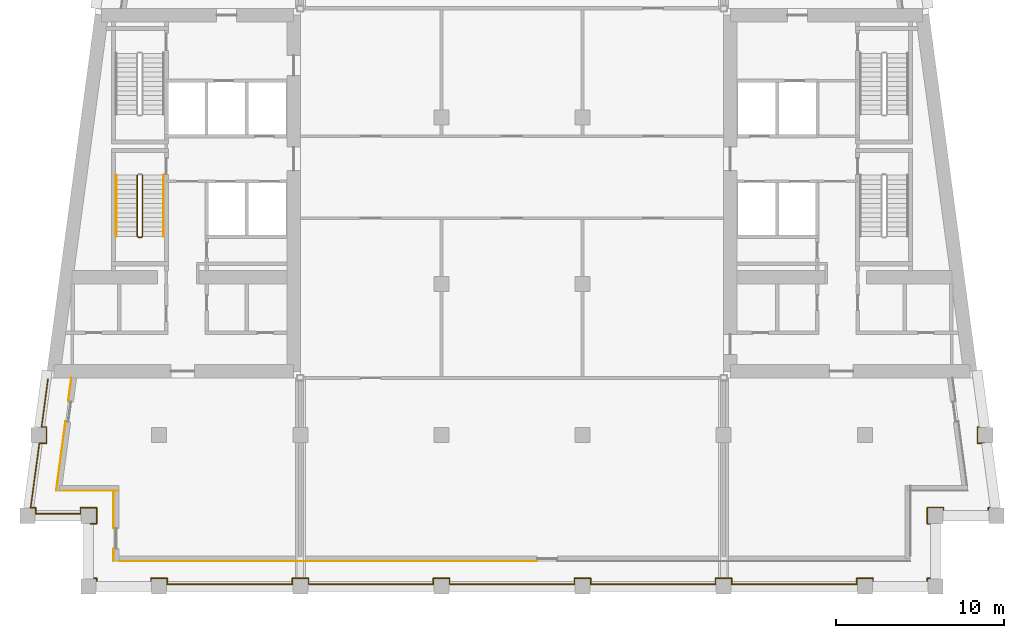
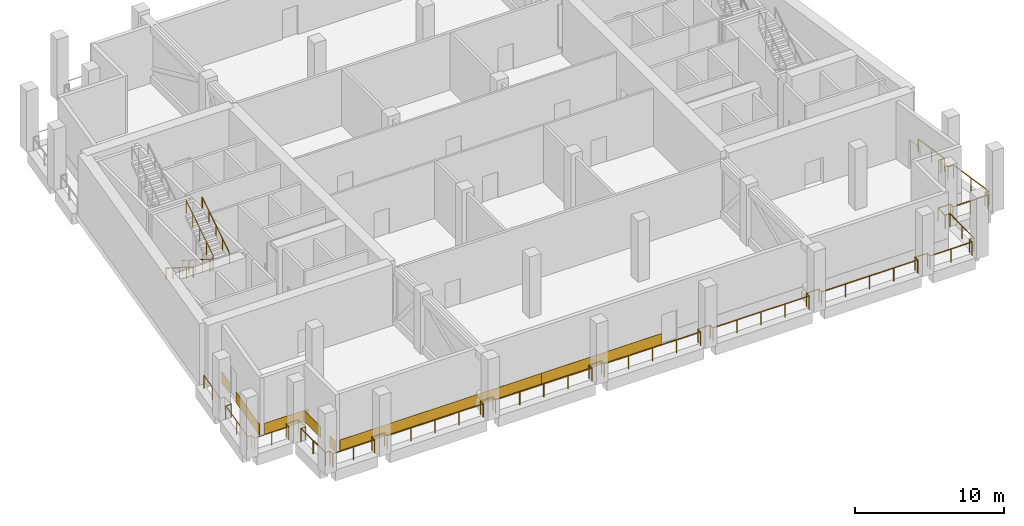
# One storey, part 8 of 11: 7 coverings, 5 railings.
"""IFC4 building model written with IfcOpenShell, lengths in metres."""

from ifc_helpers import new_model, si_unit, direction, frame, origin, origin_2d, place, context, subcontext, project, spatial, rectangle, circle, extrude, material, layer, layer_set, type_object, element, save


model = new_model("IFC4")

# Units and contexts
model_context = context("Model", 3, precision=1e-05, world=origin(), true_north=direction((0.0, 1.0)))
body_context = subcontext(model_context, "Body", "Model", "MODEL_VIEW")
ifc_project = project(units=[si_unit("LENGTHUNIT", "METRE"), si_unit("AREAUNIT", "SQUARE_METRE"), si_unit("VOLUMEUNIT", "CUBIC_METRE"), si_unit("PLANEANGLEUNIT", "RADIAN"), si_unit("MASSUNIT", "GRAM", prefix="KILO")], contexts=[model_context])

# Site, building, storey
site_placement = place(None, origin())
site = spatial("IfcSite", under=ifc_project, at=site_placement, CompositionType="ELEMENT")
building_placement = place(site_placement, origin())
building = spatial("IfcBuilding", under=site, at=building_placement, Name="Candeia Pilgrim Tower and Theatre", CompositionType="ELEMENT")
storey_placement = place(building_placement, frame((0.0, 0.0, 254.0)))
storey = spatial("IfcBuildingStorey", under=building, at=storey_placement, Name="L61", CompositionType="ELEMENT", Elevation=254.0)

# Railings
ifc_material_1 = material(Name="Stainless steel balustrade", Category="steel")
railing_type_1 = type_object("IfcRailingType", Name="G1 loggia guard 1100", PredefinedType="GUARDRAIL", material=ifc_material_1)
railing_1_placement = place(storey_placement, frame((88.320068359375, 101.719970703125, 0.0)))
element("IfcRailing", 1, at=railing_1_placement, inside=storey, type_object=railing_type_1, Name="Guard L61.1", PredefinedType="GUARDRAIL", context=body_context, shape_type="SweptSolid", body=[
    extrude(circle(Radius=0.02392578125, at=origin_2d()), frame((0.0, 0.0, 1.076171875), z_axis=(1.0, 0.0, 0.0), x_axis=(0.0, 1.0, 0.0)), (0.0, 0.0, 1.0), 0.35986328125),
    extrude(circle(Radius=0.02392578125, at=origin_2d()), frame((0.35986328125, 0.0, 1.076171875), z_axis=(0.0, 1.0, 0.0), x_axis=(-1.0, 0.0, 0.0)), (0.0, 0.0, 1.0), 0.9599609375),
    extrude(circle(Radius=0.02392578125, at=origin_2d()), frame((0.35986328125, 0.9599609375, 1.076171875), z_axis=(-1.0, 0.0, 0.0), x_axis=(0.0, -1.0, 0.0)), (0.0, 0.0, 1.0), 0.9599609375),
    extrude(circle(Radius=0.02392578125, at=origin_2d()), frame((-0.60009765625, 0.9599609375, 1.076171875), z_axis=(0.0, -1.0, 0.0), x_axis=(1.0, 0.0, 0.0)), (0.0, 0.0, 1.0), 0.35986328125),
    extrude(circle(Radius=0.02392578125, at=origin_2d()), frame((-0.60009765625, 0.60009765625, 1.076171875), z_axis=(-1.0, 0.0, 0.0), x_axis=(0.0, -1.0, 0.0)), (0.0, 0.0, 1.0), 2.674560546875),
    extrude(circle(Radius=0.02392578125, at=origin_2d()), frame((-3.274658203125, 0.60009765625, 1.076171875), z_axis=(0.0, 1.0, 0.0), x_axis=(-1.0, 0.0, 0.0)), (0.0, 0.0, 1.0), 0.35986328125),
    extrude(circle(Radius=0.02392578125, at=origin_2d()), frame((-3.274658203125, 0.9599609375, 1.076171875), z_axis=(-1.0, 0.0, 0.0), x_axis=(0.0, -1.0, 0.0)), (0.0, 0.0, 1.0), 0.29443359375),
    extrude(circle(Radius=0.02392578125, at=origin_2d()), frame((-3.569091796875, 0.9599609375, 1.076171875), z_axis=(0.133451286285, 0.991055373927, 0.0), x_axis=(-0.991055373927, 0.133451286285, 0.0)), (0.0, 0.0, 1.0), 3.874755859375),
    extrude(circle(Radius=0.02392578125, at=origin_2d()), frame((-3.052001953125, 4.800048828125, 1.076171875), z_axis=(1.0, 0.0, 0.0), x_axis=(0.0, 1.0, 0.0)), (0.0, 0.0, 1.0), 0.423583984375),
    extrude(circle(Radius=0.02392578125, at=origin_2d()), frame((-2.62841796875, 4.800048828125, 1.076171875), z_axis=(0.0, 1.0, 0.0), x_axis=(-1.0, 0.0, 0.0)), (0.0, 0.0, 1.0), 0.9599609375),
    extrude(circle(Radius=0.02392578125, at=origin_2d()), frame((-2.62841796875, 5.760009765625, 1.076171875), z_axis=(-1.0, 0.0, 0.0), x_axis=(0.0, -1.0, 0.0)), (0.0, 0.0, 1.0), 0.29443359375),
    extrude(circle(Radius=0.02392578125, at=origin_2d()), frame((-2.9228515625, 5.760009765625, 1.076171875), z_axis=(0.133450228179, 0.991055516406, 0.0), x_axis=(-0.991055516406, 0.133450228179, 0.0)), (0.0, 0.0, 1.0), 2.89599609375),
    extrude(circle(Radius=0.02099609375, at=origin_2d()), origin(), (0.0, 0.0, 1.0), 1.052001953125),
    extrude(circle(Radius=0.02099609375, at=origin_2d()), frame((0.35986328125, 0.0, 0.0)), (0.0, 0.0, 1.0), 1.052001953125),
    extrude(circle(Radius=0.02099609375, at=origin_2d()), frame((0.35986328125, 0.9599609375, 0.0)), (0.0, 0.0, 1.0), 1.052001953125),
    extrude(circle(Radius=0.02099609375, at=origin_2d()), frame((-0.60009765625, 0.9599609375, 0.0)), (0.0, 0.0, 1.0), 1.052001953125),
    extrude(circle(Radius=0.02099609375, at=origin_2d()), frame((-0.60009765625, 0.60009765625, 0.0)), (0.0, 0.0, 1.0), 1.052001953125),
    extrude(circle(Radius=0.02099609375, at=origin_2d()), frame((-1.9375, 0.60009765625, 0.0)), (0.0, 0.0, 1.0), 1.052001953125),
    extrude(circle(Radius=0.02099609375, at=origin_2d()), frame((-3.274658203125, 0.60009765625, 0.0)), (0.0, 0.0, 1.0), 1.052001953125),
    extrude(circle(Radius=0.02099609375, at=origin_2d()), frame((-3.274658203125, 0.9599609375, 0.0)), (0.0, 0.0, 1.0), 1.052001953125),
    extrude(circle(Radius=0.02099609375, at=origin_2d()), frame((-3.569091796875, 0.9599609375, 0.0)), (0.0, 0.0, 1.0), 1.052001953125),
    extrude(circle(Radius=0.02099609375, at=origin_2d()), frame((-3.310546875, 2.8798828125, 0.0)), (0.0, 0.0, 1.0), 1.052001953125),
    extrude(circle(Radius=0.02099609375, at=origin_2d()), frame((-3.052001953125, 4.800048828125, 0.0)), (0.0, 0.0, 1.0), 1.052001953125),
    extrude(circle(Radius=0.02099609375, at=origin_2d()), frame((-2.62841796875, 4.800048828125, 0.0)), (0.0, 0.0, 1.0), 1.052001953125),
    extrude(circle(Radius=0.02099609375, at=origin_2d()), frame((-2.62841796875, 5.760009765625, 0.0)), (0.0, 0.0, 1.0), 1.052001953125),
    extrude(circle(Radius=0.02099609375, at=origin_2d()), frame((-2.9228515625, 5.760009765625, 0.0)), (0.0, 0.0, 1.0), 1.052001953125),
    extrude(circle(Radius=0.02099609375, at=origin_2d()), frame((-2.7294921875, 7.195068359375, 0.0)), (0.0, 0.0, 1.0), 1.052001953125),
    extrude(circle(Radius=0.02099609375, at=origin_2d()), frame((-2.536376953125, 8.630126953125, 0.0)), (0.0, 0.0, 1.0), 1.052001953125),
])
railing_2_placement = place(storey_placement, frame((141.016357421875, 110.35009765625, 0.0)))
element("IfcRailing", 2, at=railing_2_placement, inside=storey, type_object=railing_type_1, Name="Guard L61.3", PredefinedType="GUARDRAIL", context=body_context, shape_type="SweptSolid", body=[
    extrude(circle(Radius=0.02392578125, at=origin_2d()), frame((0.0, 0.0, 1.076171875), z_axis=(0.133450228179, -0.991055516406, 0.0), x_axis=(0.991055516406, 0.133450228179, 0.0)), (0.0, 0.0, 1.0), 2.89599609375),
    extrude(circle(Radius=0.02392578125, at=origin_2d()), frame((0.386474609375, -2.8701171875, 1.076171875), z_axis=(-1.0, 0.0, 0.0), x_axis=(0.0, -1.0, 0.0)), (0.0, 0.0, 1.0), 0.29443359375),
    extrude(circle(Radius=0.02392578125, at=origin_2d()), frame((0.092041015625, -2.8701171875, 1.076171875), z_axis=(0.0, -1.0, 0.0), x_axis=(1.0, 0.0, 0.0)), (0.0, 0.0, 1.0), 0.9599609375),
    extrude(circle(Radius=0.02392578125, at=origin_2d()), frame((0.092041015625, -3.830078125, 1.076171875), z_axis=(1.0, 0.0, 0.0), x_axis=(0.0, 1.0, 0.0)), (0.0, 0.0, 1.0), 0.423583984375),
    extrude(circle(Radius=0.02392578125, at=origin_2d()), frame((0.515625, -3.830078125, 1.076171875), z_axis=(0.133389399471, -0.991063705374, 0.0), x_axis=(0.991063705374, 0.133389399471, 0.0)), (0.0, 0.0, 1.0), 3.874755859375),
    extrude(circle(Radius=0.02392578125, at=origin_2d()), frame((1.032470703125, -7.670166015625, 1.076171875), z_axis=(-1.0, 0.0, 0.0), x_axis=(0.0, -1.0, 0.0)), (0.0, 0.0, 1.0), 0.294189453125),
    extrude(circle(Radius=0.02392578125, at=origin_2d()), frame((0.73828125, -7.670166015625, 1.076171875), z_axis=(0.0, -1.0, 0.0), x_axis=(1.0, 0.0, 0.0)), (0.0, 0.0, 1.0), 0.35986328125),
    extrude(circle(Radius=0.02392578125, at=origin_2d()), frame((0.73828125, -8.030029296875, 1.076171875), z_axis=(-1.0, 0.0, 0.0), x_axis=(0.0, -1.0, 0.0)), (0.0, 0.0, 1.0), 2.674560546875),
    extrude(circle(Radius=0.02392578125, at=origin_2d()), frame((-1.936279296875, -8.030029296875, 1.076171875), z_axis=(0.0, 1.0, 0.0), x_axis=(-1.0, 0.0, 0.0)), (0.0, 0.0, 1.0), 0.35986328125),
    extrude(circle(Radius=0.02392578125, at=origin_2d()), frame((-1.936279296875, -7.670166015625, 1.076171875), z_axis=(-1.0, 0.0, 0.0), x_axis=(0.0, -1.0, 0.0)), (0.0, 0.0, 1.0), 0.9599609375),
    extrude(circle(Radius=0.02392578125, at=origin_2d()), frame((-2.896240234375, -7.670166015625, 1.076171875), z_axis=(0.0, -1.0, 0.0), x_axis=(1.0, 0.0, 0.0)), (0.0, 0.0, 1.0), 0.9599609375),
    extrude(circle(Radius=0.02392578125, at=origin_2d()), frame((-2.896240234375, -8.630126953125, 1.076171875), z_axis=(1.0, 0.0, 0.0), x_axis=(0.0, 1.0, 0.0)), (0.0, 0.0, 1.0), 0.35986328125),
    extrude(circle(Radius=0.02392578125, at=origin_2d()), frame((-2.536376953125, -8.630126953125, 1.076171875), z_axis=(0.0, -1.0, 0.0), x_axis=(1.0, 0.0, 0.0)), (0.0, 0.0, 1.0), 3.239990234375),
    extrude(circle(Radius=0.02392578125, at=origin_2d()), frame((-2.536376953125, -11.8701171875, 1.076171875), z_axis=(-1.0, 0.0, 0.0), x_axis=(0.0, -1.0, 0.0)), (0.0, 0.0, 1.0), 0.35986328125),
    extrude(circle(Radius=0.02392578125, at=origin_2d()), frame((-2.896240234375, -11.8701171875, 1.076171875), z_axis=(0.0, -1.0, 0.0), x_axis=(1.0, 0.0, 0.0)), (0.0, 0.0, 1.0), 0.35986328125),
    extrude(circle(Radius=0.02392578125, at=origin_2d()), frame((-2.896240234375, -12.22998046875, 1.076171875), z_axis=(-1.0, 0.0, 0.0), x_axis=(0.0, -1.0, 0.0)), (0.0, 0.0, 1.0), 3.240234375),
    extrude(circle(Radius=0.02392578125, at=origin_2d()), frame((-6.136474609375, -12.22998046875, 1.076171875), z_axis=(0.0, 1.0, 0.0), x_axis=(-1.0, 0.0, 0.0)), (0.0, 0.0, 1.0), 0.35986328125),
    extrude(circle(Radius=0.02392578125, at=origin_2d()), frame((-6.136474609375, -11.8701171875, 1.076171875), z_axis=(-1.0, 0.0, 0.0), x_axis=(0.0, -1.0, 0.0)), (0.0, 0.0, 1.0), 0.9599609375),
    extrude(circle(Radius=0.02392578125, at=origin_2d()), frame((-7.096435546875, -11.8701171875, 1.076171875), z_axis=(0.0, -1.0, 0.0), x_axis=(1.0, 0.0, 0.0)), (0.0, 0.0, 1.0), 0.35986328125),
    extrude(circle(Radius=0.02392578125, at=origin_2d()), frame((-7.096435546875, -12.22998046875, 1.076171875), z_axis=(-1.0, 0.0, 0.0), x_axis=(0.0, -1.0, 0.0)), (0.0, 0.0, 1.0), 7.43994140625),
    extrude(circle(Radius=0.02392578125, at=origin_2d()), frame((-14.536376953125, -12.22998046875, 1.076171875), z_axis=(0.0, 1.0, 0.0), x_axis=(-1.0, 0.0, 0.0)), (0.0, 0.0, 1.0), 0.35986328125),
    extrude(circle(Radius=0.02392578125, at=origin_2d()), frame((-14.536376953125, -11.8701171875, 1.076171875), z_axis=(-1.0, 0.0, 0.0), x_axis=(0.0, -1.0, 0.0)), (0.0, 0.0, 1.0), 0.9599609375),
    extrude(circle(Radius=0.02392578125, at=origin_2d()), frame((-15.496337890625, -11.8701171875, 1.076171875), z_axis=(0.0, -1.0, 0.0), x_axis=(1.0, 0.0, 0.0)), (0.0, 0.0, 1.0), 0.35986328125),
    extrude(circle(Radius=0.02392578125, at=origin_2d()), frame((-15.496337890625, -12.22998046875, 1.076171875), z_axis=(-1.0, 0.0, 0.0), x_axis=(0.0, -1.0, 0.0)), (0.0, 0.0, 1.0), 7.43994140625),
    extrude(circle(Radius=0.02392578125, at=origin_2d()), frame((-22.936279296875, -12.22998046875, 1.076171875), z_axis=(0.0, 1.0, 0.0), x_axis=(-1.0, 0.0, 0.0)), (0.0, 0.0, 1.0), 0.35986328125),
    extrude(circle(Radius=0.02392578125, at=origin_2d()), frame((-22.936279296875, -11.8701171875, 1.076171875), z_axis=(-1.0, 0.0, 0.0), x_axis=(0.0, -1.0, 0.0)), (0.0, 0.0, 1.0), 0.9599609375),
    extrude(circle(Radius=0.02392578125, at=origin_2d()), frame((-23.896240234375, -11.8701171875, 1.076171875), z_axis=(0.0, -1.0, 0.0), x_axis=(1.0, 0.0, 0.0)), (0.0, 0.0, 1.0), 0.35986328125),
    extrude(circle(Radius=0.02392578125, at=origin_2d()), frame((-23.896240234375, -12.22998046875, 1.076171875), z_axis=(-1.0, 0.0, 0.0), x_axis=(0.0, -1.0, 0.0)), (0.0, 0.0, 1.0), 7.440185546875),
    extrude(circle(Radius=0.02392578125, at=origin_2d()), frame((-31.33642578125, -12.22998046875, 1.076171875), z_axis=(0.0, 1.0, 0.0), x_axis=(-1.0, 0.0, 0.0)), (0.0, 0.0, 1.0), 0.35986328125),
    extrude(circle(Radius=0.02392578125, at=origin_2d()), frame((-31.33642578125, -11.8701171875, 1.076171875), z_axis=(-1.0, 0.0, 0.0), x_axis=(0.0, -1.0, 0.0)), (0.0, 0.0, 1.0), 0.9599609375),
    extrude(circle(Radius=0.02392578125, at=origin_2d()), frame((-32.29638671875, -11.8701171875, 1.076171875), z_axis=(0.0, -1.0, 0.0), x_axis=(1.0, 0.0, 0.0)), (0.0, 0.0, 1.0), 0.35986328125),
    extrude(circle(Radius=0.02392578125, at=origin_2d()), frame((-32.29638671875, -12.22998046875, 1.076171875), z_axis=(-1.0, 0.0, 0.0), x_axis=(0.0, -1.0, 0.0)), (0.0, 0.0, 1.0), 7.43994140625),
    extrude(circle(Radius=0.02392578125, at=origin_2d()), frame((-39.736328125, -12.22998046875, 1.076171875), z_axis=(0.0, 1.0, 0.0), x_axis=(-1.0, 0.0, 0.0)), (0.0, 0.0, 1.0), 0.35986328125),
    extrude(circle(Radius=0.02392578125, at=origin_2d()), frame((-39.736328125, -11.8701171875, 1.076171875), z_axis=(-1.0, 0.0, 0.0), x_axis=(0.0, -1.0, 0.0)), (0.0, 0.0, 1.0), 0.9599609375),
    extrude(circle(Radius=0.02392578125, at=origin_2d()), frame((-40.6962890625, -11.8701171875, 1.076171875), z_axis=(0.0, -1.0, 0.0), x_axis=(1.0, 0.0, 0.0)), (0.0, 0.0, 1.0), 0.35986328125),
    extrude(circle(Radius=0.02392578125, at=origin_2d()), frame((-40.6962890625, -12.22998046875, 1.076171875), z_axis=(-1.0, 0.0, 0.0), x_axis=(0.0, -1.0, 0.0)), (0.0, 0.0, 1.0), 7.440185546875),
    extrude(circle(Radius=0.02392578125, at=origin_2d()), frame((-48.136474609375, -12.22998046875, 1.076171875), z_axis=(0.0, 1.0, 0.0), x_axis=(-1.0, 0.0, 0.0)), (0.0, 0.0, 1.0), 0.35986328125),
    extrude(circle(Radius=0.02392578125, at=origin_2d()), frame((-48.136474609375, -11.8701171875, 1.076171875), z_axis=(-1.0, 0.0, 0.0), x_axis=(0.0, -1.0, 0.0)), (0.0, 0.0, 1.0), 0.9599609375),
    extrude(circle(Radius=0.02392578125, at=origin_2d()), frame((-49.096435546875, -11.8701171875, 1.076171875), z_axis=(0.0, -1.0, 0.0), x_axis=(1.0, 0.0, 0.0)), (0.0, 0.0, 1.0), 0.35986328125),
    extrude(circle(Radius=0.02392578125, at=origin_2d()), frame((-49.096435546875, -12.22998046875, 1.076171875), z_axis=(-1.0, 0.0, 0.0), x_axis=(0.0, -1.0, 0.0)), (0.0, 0.0, 1.0), 3.239990234375),
    extrude(circle(Radius=0.02392578125, at=origin_2d()), frame((-52.33642578125, -12.22998046875, 1.076171875), z_axis=(0.0, 1.0, 0.0), x_axis=(-1.0, 0.0, 0.0)), (0.0, 0.0, 1.0), 0.35986328125),
    extrude(circle(Radius=0.02392578125, at=origin_2d()), frame((-52.33642578125, -11.8701171875, 1.076171875), z_axis=(-1.0, 0.0, 0.0), x_axis=(0.0, -1.0, 0.0)), (0.0, 0.0, 1.0), 0.35986328125),
    extrude(circle(Radius=0.02392578125, at=origin_2d()), frame((-52.6962890625, -11.8701171875, 1.076171875), z_axis=(0.0, 1.0, 0.0), x_axis=(-1.0, 0.0, 0.0)), (0.0, 0.0, 1.0), 3.239990234375),
    extrude(circle(Radius=0.02099609375, at=origin_2d()), origin(), (0.0, 0.0, 1.0), 1.052001953125),
    extrude(circle(Radius=0.02099609375, at=origin_2d()), frame((0.193359375, -1.43505859375, 0.0)), (0.0, 0.0, 1.0), 1.052001953125),
    extrude(circle(Radius=0.02099609375, at=origin_2d()), frame((0.386474609375, -2.8701171875, 0.0)), (0.0, 0.0, 1.0), 1.052001953125),
    extrude(circle(Radius=0.02099609375, at=origin_2d()), frame((0.092041015625, -2.8701171875, 0.0)), (0.0, 0.0, 1.0), 1.052001953125),
    extrude(circle(Radius=0.02099609375, at=origin_2d()), frame((0.092041015625, -3.830078125, 0.0)), (0.0, 0.0, 1.0), 1.052001953125),
    extrude(circle(Radius=0.02099609375, at=origin_2d()), frame((0.515625, -3.830078125, 0.0)), (0.0, 0.0, 1.0), 1.052001953125),
    extrude(circle(Radius=0.02099609375, at=origin_2d()), frame((0.77392578125, -5.75, 0.0)), (0.0, 0.0, 1.0), 1.052001953125),
    extrude(circle(Radius=0.02099609375, at=origin_2d()), frame((1.032470703125, -7.670166015625, 0.0)), (0.0, 0.0, 1.0), 1.052001953125),
    extrude(circle(Radius=0.02099609375, at=origin_2d()), frame((0.73828125, -7.670166015625, 0.0)), (0.0, 0.0, 1.0), 1.052001953125),
    extrude(circle(Radius=0.02099609375, at=origin_2d()), frame((0.73828125, -8.030029296875, 0.0)), (0.0, 0.0, 1.0), 1.052001953125),
    extrude(circle(Radius=0.02099609375, at=origin_2d()), frame((-0.59912109375, -8.030029296875, 0.0)), (0.0, 0.0, 1.0), 1.052001953125),
    extrude(circle(Radius=0.02099609375, at=origin_2d()), frame((-1.936279296875, -8.030029296875, 0.0)), (0.0, 0.0, 1.0), 1.052001953125),
    extrude(circle(Radius=0.02099609375, at=origin_2d()), frame((-1.936279296875, -7.670166015625, 0.0)), (0.0, 0.0, 1.0), 1.052001953125),
    extrude(circle(Radius=0.02099609375, at=origin_2d()), frame((-2.896240234375, -7.670166015625, 0.0)), (0.0, 0.0, 1.0), 1.052001953125),
    extrude(circle(Radius=0.02099609375, at=origin_2d()), frame((-2.896240234375, -8.630126953125, 0.0)), (0.0, 0.0, 1.0), 1.052001953125),
    extrude(circle(Radius=0.02099609375, at=origin_2d()), frame((-2.536376953125, -8.630126953125, 0.0)), (0.0, 0.0, 1.0), 1.052001953125),
    extrude(circle(Radius=0.02099609375, at=origin_2d()), frame((-2.536376953125, -10.25, 0.0)), (0.0, 0.0, 1.0), 1.052001953125),
    extrude(circle(Radius=0.02099609375, at=origin_2d()), frame((-2.536376953125, -11.8701171875, 0.0)), (0.0, 0.0, 1.0), 1.052001953125),
    extrude(circle(Radius=0.02099609375, at=origin_2d()), frame((-2.896240234375, -11.8701171875, 0.0)), (0.0, 0.0, 1.0), 1.052001953125),
    extrude(circle(Radius=0.02099609375, at=origin_2d()), frame((-2.896240234375, -12.22998046875, 0.0)), (0.0, 0.0, 1.0), 1.052001953125),
    extrude(circle(Radius=0.02099609375, at=origin_2d()), frame((-4.516357421875, -12.22998046875, 0.0)), (0.0, 0.0, 1.0), 1.052001953125),
    extrude(circle(Radius=0.02099609375, at=origin_2d()), frame((-6.136474609375, -12.22998046875, 0.0)), (0.0, 0.0, 1.0), 1.052001953125),
    extrude(circle(Radius=0.02099609375, at=origin_2d()), frame((-6.136474609375, -11.8701171875, 0.0)), (0.0, 0.0, 1.0), 1.052001953125),
    extrude(circle(Radius=0.02099609375, at=origin_2d()), frame((-7.096435546875, -11.8701171875, 0.0)), (0.0, 0.0, 1.0), 1.052001953125),
    extrude(circle(Radius=0.02099609375, at=origin_2d()), frame((-7.096435546875, -12.22998046875, 0.0)), (0.0, 0.0, 1.0), 1.052001953125),
    extrude(circle(Radius=0.02099609375, at=origin_2d()), frame((-8.95654296875, -12.22998046875, 0.0)), (0.0, 0.0, 1.0), 1.052001953125),
    extrude(circle(Radius=0.02099609375, at=origin_2d()), frame((-10.81640625, -12.22998046875, 0.0)), (0.0, 0.0, 1.0), 1.052001953125),
    extrude(circle(Radius=0.02099609375, at=origin_2d()), frame((-12.67626953125, -12.22998046875, 0.0)), (0.0, 0.0, 1.0), 1.052001953125),
    extrude(circle(Radius=0.02099609375, at=origin_2d()), frame((-14.536376953125, -12.22998046875, 0.0)), (0.0, 0.0, 1.0), 1.052001953125),
    extrude(circle(Radius=0.02099609375, at=origin_2d()), frame((-14.536376953125, -11.8701171875, 0.0)), (0.0, 0.0, 1.0), 1.052001953125),
    extrude(circle(Radius=0.02099609375, at=origin_2d()), frame((-15.496337890625, -11.8701171875, 0.0)), (0.0, 0.0, 1.0), 1.052001953125),
    extrude(circle(Radius=0.02099609375, at=origin_2d()), frame((-15.496337890625, -12.22998046875, 0.0)), (0.0, 0.0, 1.0), 1.052001953125),
    extrude(circle(Radius=0.02099609375, at=origin_2d()), frame((-17.3564453125, -12.22998046875, 0.0)), (0.0, 0.0, 1.0), 1.052001953125),
    extrude(circle(Radius=0.02099609375, at=origin_2d()), frame((-19.21630859375, -12.22998046875, 0.0)), (0.0, 0.0, 1.0), 1.052001953125),
    extrude(circle(Radius=0.02099609375, at=origin_2d()), frame((-21.076171875, -12.22998046875, 0.0)), (0.0, 0.0, 1.0), 1.052001953125),
    extrude(circle(Radius=0.02099609375, at=origin_2d()), frame((-22.936279296875, -12.22998046875, 0.0)), (0.0, 0.0, 1.0), 1.052001953125),
    extrude(circle(Radius=0.02099609375, at=origin_2d()), frame((-22.936279296875, -11.8701171875, 0.0)), (0.0, 0.0, 1.0), 1.052001953125),
    extrude(circle(Radius=0.02099609375, at=origin_2d()), frame((-23.896240234375, -11.8701171875, 0.0)), (0.0, 0.0, 1.0), 1.052001953125),
    extrude(circle(Radius=0.02099609375, at=origin_2d()), frame((-23.896240234375, -12.22998046875, 0.0)), (0.0, 0.0, 1.0), 1.052001953125),
    extrude(circle(Radius=0.02099609375, at=origin_2d()), frame((-25.75634765625, -12.22998046875, 0.0)), (0.0, 0.0, 1.0), 1.052001953125),
    extrude(circle(Radius=0.02099609375, at=origin_2d()), frame((-27.6162109375, -12.22998046875, 0.0)), (0.0, 0.0, 1.0), 1.052001953125),
    extrude(circle(Radius=0.02099609375, at=origin_2d()), frame((-29.476318359375, -12.22998046875, 0.0)), (0.0, 0.0, 1.0), 1.052001953125),
    extrude(circle(Radius=0.02099609375, at=origin_2d()), frame((-31.33642578125, -12.22998046875, 0.0)), (0.0, 0.0, 1.0), 1.052001953125),
    extrude(circle(Radius=0.02099609375, at=origin_2d()), frame((-31.33642578125, -11.8701171875, 0.0)), (0.0, 0.0, 1.0), 1.052001953125),
    extrude(circle(Radius=0.02099609375, at=origin_2d()), frame((-32.29638671875, -11.8701171875, 0.0)), (0.0, 0.0, 1.0), 1.052001953125),
    extrude(circle(Radius=0.02099609375, at=origin_2d()), frame((-32.29638671875, -12.22998046875, 0.0)), (0.0, 0.0, 1.0), 1.052001953125),
    extrude(circle(Radius=0.02099609375, at=origin_2d()), frame((-34.15625, -12.22998046875, 0.0)), (0.0, 0.0, 1.0), 1.052001953125),
    extrude(circle(Radius=0.02099609375, at=origin_2d()), frame((-36.016357421875, -12.22998046875, 0.0)), (0.0, 0.0, 1.0), 1.052001953125),
    extrude(circle(Radius=0.02099609375, at=origin_2d()), frame((-37.87646484375, -12.22998046875, 0.0)), (0.0, 0.0, 1.0), 1.052001953125),
    extrude(circle(Radius=0.02099609375, at=origin_2d()), frame((-39.736328125, -12.22998046875, 0.0)), (0.0, 0.0, 1.0), 1.052001953125),
    extrude(circle(Radius=0.02099609375, at=origin_2d()), frame((-39.736328125, -11.8701171875, 0.0)), (0.0, 0.0, 1.0), 1.052001953125),
    extrude(circle(Radius=0.02099609375, at=origin_2d()), frame((-40.6962890625, -11.8701171875, 0.0)), (0.0, 0.0, 1.0), 1.052001953125),
    extrude(circle(Radius=0.02099609375, at=origin_2d()), frame((-40.6962890625, -12.22998046875, 0.0)), (0.0, 0.0, 1.0), 1.052001953125),
    extrude(circle(Radius=0.02099609375, at=origin_2d()), frame((-42.556396484375, -12.22998046875, 0.0)), (0.0, 0.0, 1.0), 1.052001953125),
    extrude(circle(Radius=0.02099609375, at=origin_2d()), frame((-44.41650390625, -12.22998046875, 0.0)), (0.0, 0.0, 1.0), 1.052001953125),
    extrude(circle(Radius=0.02099609375, at=origin_2d()), frame((-46.2763671875, -12.22998046875, 0.0)), (0.0, 0.0, 1.0), 1.052001953125),
    extrude(circle(Radius=0.02099609375, at=origin_2d()), frame((-48.136474609375, -12.22998046875, 0.0)), (0.0, 0.0, 1.0), 1.052001953125),
    extrude(circle(Radius=0.02099609375, at=origin_2d()), frame((-48.136474609375, -11.8701171875, 0.0)), (0.0, 0.0, 1.0), 1.052001953125),
    extrude(circle(Radius=0.02099609375, at=origin_2d()), frame((-49.096435546875, -11.8701171875, 0.0)), (0.0, 0.0, 1.0), 1.052001953125),
    extrude(circle(Radius=0.02099609375, at=origin_2d()), frame((-49.096435546875, -12.22998046875, 0.0)), (0.0, 0.0, 1.0), 1.052001953125),
    extrude(circle(Radius=0.02099609375, at=origin_2d()), frame((-50.71630859375, -12.22998046875, 0.0)), (0.0, 0.0, 1.0), 1.052001953125),
    extrude(circle(Radius=0.02099609375, at=origin_2d()), frame((-52.33642578125, -12.22998046875, 0.0)), (0.0, 0.0, 1.0), 1.052001953125),
    extrude(circle(Radius=0.02099609375, at=origin_2d()), frame((-52.33642578125, -11.8701171875, 0.0)), (0.0, 0.0, 1.0), 1.052001953125),
    extrude(circle(Radius=0.02099609375, at=origin_2d()), frame((-52.6962890625, -11.8701171875, 0.0)), (0.0, 0.0, 1.0), 1.052001953125),
    extrude(circle(Radius=0.02099609375, at=origin_2d()), frame((-52.6962890625, -10.25, 0.0)), (0.0, 0.0, 1.0), 1.052001953125),
    extrude(circle(Radius=0.02099609375, at=origin_2d()), frame((-52.6962890625, -8.630126953125, 0.0)), (0.0, 0.0, 1.0), 1.052001953125),
])

# Coverings
ifc_material_2 = material(Name="Glazed ceramic tile bottle green")
ifc_layer_1 = layer(ifc_material_2, 0.02001953125)
ifc_layer_set_1 = layer_set([ifc_layer_1], Name="Glazed ceramic tile bottle green")
covering_type_1 = type_object("IfcCoveringType", Name="Glazed ceramic tile bottle green", PredefinedType="CLADDING", material=ifc_layer_set_1)
covering_1_placement = place(storey_placement, frame((97.81005859375, 99.489990234375, 0.0), z_axis=(0.0, 0.0, 1.0), x_axis=(1.0, 0.0, 0.0)))
element("IfcCovering", 3, at=covering_1_placement, inside=storey, type_object=covering_type_1, Name="Tile cladding bottle green L61", PredefinedType="CLADDING", context=body_context, shape_type="SweptSolid", body=[
    extrude(rectangle(XDim=15.580078125, YDim=0.02001953125, at=origin_2d()), origin(), (0.0, 0.0, 1.0), 0.89990234375),
])
covering_2_placement = place(storey_placement, frame((87.0810546875, 109.71875, 0.0), z_axis=(0.0, 0.0, 1.0), x_axis=(-0.133412012145, -0.991060661622, 0.0)))
element("IfcCovering", 4, at=covering_2_placement, inside=storey, type_object=covering_type_1, Name="Tile cladding bottle green L61", PredefinedType="CLADDING", context=body_context, shape_type="SweptSolid", body=[
    extrude(rectangle(XDim=1.41796875, YDim=0.02001953125, at=origin_2d()), origin(), (0.0, 0.0, 1.0), 0.89990234375),
])
covering_3_placement = place(storey_placement, frame((86.548583984375, 105.763916015625, 0.0), z_axis=(0.0, 0.0, 1.0), x_axis=(-0.133412012145, -0.991060661622, 0.0)))
element("IfcCovering", 5, at=covering_3_placement, inside=storey, type_object=covering_type_1, Name="Tile cladding bottle green L61", PredefinedType="CLADDING", context=body_context, shape_type="SweptSolid", body=[
    extrude(rectangle(XDim=4.16259765625, YDim=0.02001953125, at=origin_2d()), origin(), (0.0, 0.0, 1.0), 0.89990234375),
])
covering_4_placement = place(storey_placement, frame((88.311279296875, 103.68994140625, 0.0), z_axis=(0.0, 0.0, 1.0), x_axis=(1.0, 0.0, 0.0)))
element("IfcCovering", 6, at=covering_4_placement, inside=storey, type_object=covering_type_1, Name="Tile cladding bottle green L61", PredefinedType="CLADDING", context=body_context, shape_type="SweptSolid", body=[
    extrude(rectangle(XDim=3.377685546875, YDim=0.02001953125, at=origin_2d()), origin(), (0.0, 0.0, 1.0), 0.89990234375),
])
covering_5_placement = place(storey_placement, frame((89.68994140625, 102.56494140625, 0.0), z_axis=(0.0, 0.0, 1.0), x_axis=(0.0, -1.0, 0.0)))
element("IfcCovering", 7, at=covering_5_placement, inside=storey, type_object=covering_type_1, Name="Tile cladding bottle green L61", PredefinedType="CLADDING", context=body_context, shape_type="SweptSolid", body=[
    extrude(rectangle(XDim=2.22998046875, YDim=0.02001953125, at=origin_2d()), origin(), (0.0, 0.0, 1.0), 0.89990234375),
])
covering_6_placement = place(storey_placement, frame((89.68994140625, 99.875, 0.0), z_axis=(0.0, 0.0, 1.0), x_axis=(0.0, -1.0, 0.0)))
element("IfcCovering", 8, at=covering_6_placement, inside=storey, type_object=covering_type_1, Name="Tile cladding bottle green L61", PredefinedType="CLADDING", context=body_context, shape_type="SweptSolid", body=[
    extrude(rectangle(XDim=0.75, YDim=0.02001953125, at=origin_2d()), origin(), (0.0, 0.0, 1.0), 0.89990234375),
])
ifc_material_3 = material(Name="Glazed ceramic tile rust")
ifc_layer_2 = layer(ifc_material_3, 0.02001953125)
ifc_layer_set_2 = layer_set([ifc_layer_2], Name="Glazed ceramic tile rust")
covering_type_2 = type_object("IfcCoveringType", Name="Glazed ceramic tile rust", PredefinedType="CLADDING", material=ifc_layer_set_2)
covering_7_placement = place(storey_placement, frame((110.25, 99.489990234375, 0.0), z_axis=(0.0, 0.0, 1.0), x_axis=(1.0, 0.0, 0.0)))
element("IfcCovering", 9, at=covering_7_placement, inside=storey, type_object=covering_type_2, Name="Tile cladding rust L61", PredefinedType="CLADDING", context=body_context, shape_type="SweptSolid", body=[
    extrude(rectangle(XDim=9.300048828125, YDim=0.02001953125, at=origin_2d()), origin(), (0.0, 0.0, 1.0), 0.89990234375),
])

# Railings
railing_type_2 = type_object("IfcRailingType", Name="RL-GUARD-1100", PredefinedType="GUARDRAIL", material=ifc_material_1)
railing_3_placement = place(storey_placement, frame((91.10205078125, 122.47509765625, 0.178466796875)))
element("IfcRailing", 10, at=railing_3_placement, inside=storey, type_object=railing_type_2, Name="L61 ST1 stair guard 1", PredefinedType="GUARDRAIL", context=body_context, shape_type="SweptSolid", body=[
    extrude(circle(Radius=0.02392578125, at=origin_2d()), frame((0.0, 0.0, 1.076171875), z_axis=(0.0, -0.843127859045, 0.537713132908), x_axis=(1.0, 0.0, 0.0)), (0.0, 0.0, 1.0), 4.3173828125),
    extrude(circle(Radius=0.02392578125, at=origin_2d()), frame((0.0, -3.64013671875, 3.3974609375), z_axis=(0.707106781187, -0.707106781187, 0.0), x_axis=(0.707106781187, 0.707106781187, 0.0)), (0.0, 0.0, 1.0), 0.07080078125),
    extrude(circle(Radius=0.02392578125, at=origin_2d()), frame((0.050048828125, -3.690185546875, 3.3974609375), z_axis=(1.0, 0.0, 0.0), x_axis=(0.0, 1.0, 0.0)), (0.0, 0.0, 1.0), 0.199951171875),
    extrude(circle(Radius=0.02392578125, at=origin_2d()), frame((0.25, -3.690185546875, 3.3974609375), z_axis=(0.260684529273, 0.260684529273, 0.929562882432), x_axis=(-0.707106781187, 0.707106781187, 0.0)), (0.0, 0.0, 1.0), 0.19189453125),
    extrude(circle(Radius=0.02392578125, at=origin_2d()), frame((0.300048828125, -3.64013671875, 3.576171875), z_axis=(0.0, 0.843127859045, 0.537713132908), x_axis=(-1.0, 0.0, 0.0)), (0.0, 0.0, 1.0), 4.3173828125),
    extrude(circle(Radius=0.02099609375, at=origin_2d()), origin(), (0.0, 0.0, 1.0), 1.052001953125),
    extrude(circle(Radius=0.02099609375, at=origin_2d()), frame((0.0, -0.91015625, 0.580322265625)), (0.0, 0.0, 1.0), 1.052001953125),
    extrude(circle(Radius=0.02099609375, at=origin_2d()), frame((0.0, -1.820068359375, 1.16064453125)), (0.0, 0.0, 1.0), 1.052001953125),
    extrude(circle(Radius=0.02099609375, at=origin_2d()), frame((0.0, -2.72998046875, 1.7412109375)), (0.0, 0.0, 1.0), 1.052001953125),
    extrude(circle(Radius=0.02099609375, at=origin_2d()), frame((0.0, -3.64013671875, 2.321533203125)), (0.0, 0.0, 1.0), 1.052001953125),
    extrude(circle(Radius=0.02099609375, at=origin_2d()), frame((0.050048828125, -3.690185546875, 2.321533203125)), (0.0, 0.0, 1.0), 1.052001953125),
    extrude(circle(Radius=0.02099609375, at=origin_2d()), frame((0.25, -3.690185546875, 2.321533203125)), (0.0, 0.0, 1.0), 1.052001953125),
    extrude(circle(Radius=0.02099609375, at=origin_2d()), frame((0.300048828125, -3.64013671875, 2.5)), (0.0, 0.0, 1.0), 1.052001953125),
    extrude(circle(Radius=0.02099609375, at=origin_2d()), frame((0.300048828125, -2.72998046875, 3.080322265625)), (0.0, 0.0, 1.0), 1.052001953125),
    extrude(circle(Radius=0.02099609375, at=origin_2d()), frame((0.300048828125, -1.820068359375, 3.66064453125)), (0.0, 0.0, 1.0), 1.052001953125),
    extrude(circle(Radius=0.02099609375, at=origin_2d()), frame((0.300048828125, -0.91015625, 4.2412109375)), (0.0, 0.0, 1.0), 1.052001953125),
    extrude(circle(Radius=0.02099609375, at=origin_2d()), frame((0.300048828125, 0.0, 4.821533203125)), (0.0, 0.0, 1.0), 1.052001953125),
])
ifc_material_4 = material(Name="Stainless steel handrail", Category="steel")
railing_type_3 = type_object("IfcRailingType", Name="RL-HANDRAIL-900", PredefinedType="HANDRAIL", material=ifc_material_4)
railing_4_placement = place(storey_placement, frame((89.85205078125, 122.47509765625, 0.178466796875)))
element("IfcRailing", 11, at=railing_4_placement, inside=storey, type_object=railing_type_3, Name="L61 ST1 stair handrail 1", PredefinedType="HANDRAIL", context=body_context, shape_type="SweptSolid", body=[
    extrude(circle(Radius=0.02392578125, at=origin_2d()), frame((0.0, 0.0, 0.8759765625), z_axis=(0.0, -0.843127859045, 0.537713132908), x_axis=(1.0, 0.0, 0.0)), (0.0, 0.0, 1.0), 4.3173828125),
    extrude(circle(Radius=0.02099609375, at=origin_2d()), origin(), (0.0, 0.0, 1.0), 0.851806640625),
    extrude(circle(Radius=0.02099609375, at=origin_2d()), frame((0.0, -0.91015625, 0.580322265625)), (0.0, 0.0, 1.0), 0.851806640625),
    extrude(circle(Radius=0.02099609375, at=origin_2d()), frame((0.0, -1.820068359375, 1.16064453125)), (0.0, 0.0, 1.0), 0.851806640625),
    extrude(circle(Radius=0.02099609375, at=origin_2d()), frame((0.0, -2.72998046875, 1.7412109375)), (0.0, 0.0, 1.0), 0.851806640625),
    extrude(circle(Radius=0.02099609375, at=origin_2d()), frame((0.0, -3.64013671875, 2.321533203125)), (0.0, 0.0, 1.0), 0.851806640625),
])
railing_5_placement = place(storey_placement, frame((92.652099609375, 118.8349609375, 2.678466796875)))
element("IfcRailing", 12, at=railing_5_placement, inside=storey, type_object=railing_type_3, Name="L61 ST1 stair handrail 2", PredefinedType="HANDRAIL", context=body_context, shape_type="SweptSolid", body=[
    extrude(circle(Radius=0.02392578125, at=origin_2d()), frame((0.0, 0.0, 0.8759765625), z_axis=(0.0, 0.843127859045, 0.537713132908), x_axis=(-1.0, 0.0, 0.0)), (0.0, 0.0, 1.0), 4.3173828125),
    extrude(circle(Radius=0.02099609375, at=origin_2d()), origin(), (0.0, 0.0, 1.0), 0.851806640625),
    extrude(circle(Radius=0.02099609375, at=origin_2d()), frame((0.0, 0.91015625, 0.580322265625)), (0.0, 0.0, 1.0), 0.851806640625),
    extrude(circle(Radius=0.02099609375, at=origin_2d()), frame((0.0, 1.820068359375, 1.16064453125)), (0.0, 0.0, 1.0), 0.851806640625),
    extrude(circle(Radius=0.02099609375, at=origin_2d()), frame((0.0, 2.72998046875, 1.7412109375)), (0.0, 0.0, 1.0), 0.851806640625),
    extrude(circle(Radius=0.02099609375, at=origin_2d()), frame((0.0, 3.64013671875, 2.321533203125)), (0.0, 0.0, 1.0), 0.851806640625),
])

save(model, "model.ifc")
